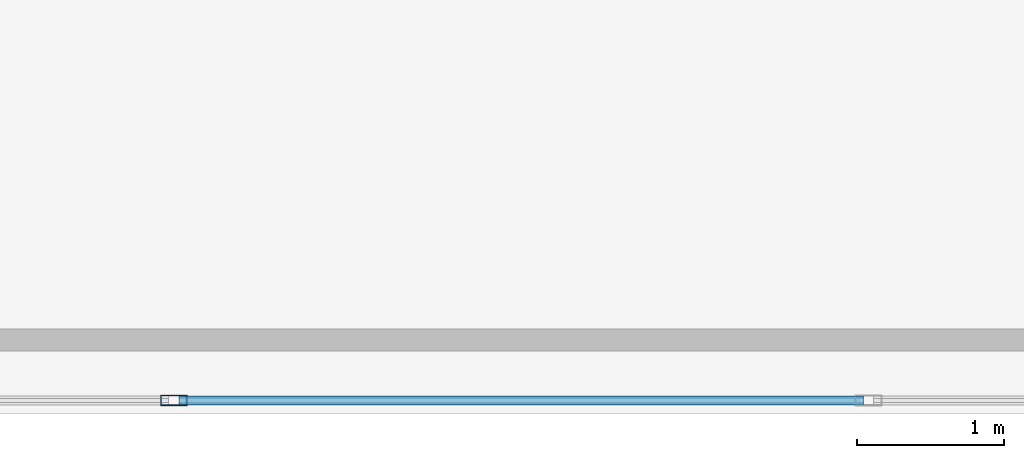
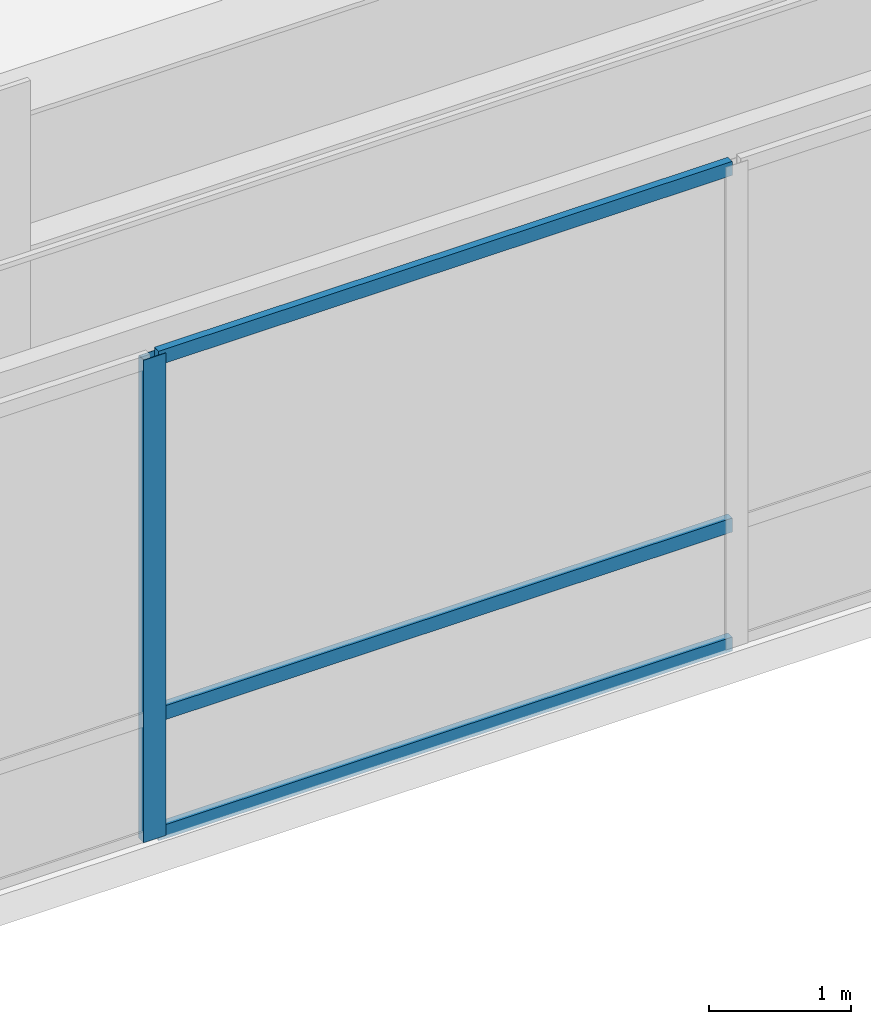
# One storey, part 9 of 27: 4 members, 1 element without a shape of its own.
"""IFC4 building model written with IfcOpenShell, lengths in metres."""

import ifcopenshell
import ifcopenshell.guid

model = None  # the IFC model being written
_history = None  # IfcOwnerHistory: only IFC2X3 demands one
_inside = {}  # id of a spatial element -> (the spatial element, [elements in it])
_under = {}  # id of a project, library or spatial element -> (it, [spatial elements below it])
_declared = {}  # id of a project -> (the project, [libraries it declares])
_typed = {}  # id of a type object -> (the type object, [elements of that type])
_made_of = {}  # id of a material, layer set ... -> (it, [elements and type objects made of it])


def new_model(schema):
    """Start an empty IFC model of exactly this schema.

    Asked for "IFC4X3", IfcOpenShell would pick the latest addendum, in which some entities
    have other attributes; the version numbers below select the first issue.
    IFC2X3 requires an IfcOwnerHistory on every rooted entity: one is made here for all.
    """
    global model, _history
    if schema == "IFC4X3":
        model = ifcopenshell.file(schema_version=(4, 3, 0, 0))
    else:
        model = ifcopenshell.file(schema=schema)
    _inside.clear()
    _under.clear()
    _declared.clear()
    _typed.clear()
    _made_of.clear()
    _history = None
    if model.schema == "IFC2X3":
        org = make("IfcOrganization", Name="unknown")
        user = make(
            "IfcPersonAndOrganization",
            ThePerson=make("IfcPerson", FamilyName="unknown"),
            TheOrganization=org,
        )
        app = make(
            "IfcApplication",
            ApplicationDeveloper=org,
            Version="unknown",
            ApplicationFullName="unknown",
            ApplicationIdentifier="unknown",
        )
        _history = make(
            "IfcOwnerHistory",
            OwningUser=user,
            OwningApplication=app,
            ChangeAction="ADDED",
            CreationDate=0,
        )
    return model


def make(cls, **values):
    """One entity of the class cls with the attributes given. An attribute that is None is left unset."""
    return model.create_entity(
        cls, **{name: value for name, value in values.items() if value is not None}
    )


def rooted(cls, **values):
    """An entity with a GlobalId (a new one), such as an element, a storey or a relation."""
    return make(cls, GlobalId=ifcopenshell.guid.new(), OwnerHistory=_history, **values)


def si_unit(unit_type, name, prefix=None):
    """IfcSIUnit, for example si_unit("LENGTHUNIT", "METRE", prefix="MILLI")."""
    return make("IfcSIUnit", UnitType=unit_type, Prefix=prefix, Name=name)


def assignment(units):
    """IfcUnitAssignment: the units of a project."""
    return None if units is None else make("IfcUnitAssignment", Units=units)


def point(xyz):
    """IfcCartesianPoint."""
    return None if xyz is None else make("IfcCartesianPoint", Coordinates=xyz)


def direction(xyz):
    """IfcDirection."""
    return None if xyz is None else make("IfcDirection", DirectionRatios=xyz)


def frame(location, z_axis=None, x_axis=None):
    """IfcAxis2Placement3D, a coordinate frame: its origin and axes. An axis left out is left unset."""
    return make(
        "IfcAxis2Placement3D",
        Location=point(location),
        Axis=direction(z_axis),
        RefDirection=direction(x_axis),
    )


def frame_2d(location, x_axis=None):
    """IfcAxis2Placement2D, a coordinate frame in the plane: its origin and x axis."""
    return make(
        "IfcAxis2Placement2D", Location=point(location), RefDirection=direction(x_axis)
    )


def origin():
    """The frame at (0, 0, 0) with its axes left unset."""
    return frame((0.0, 0.0, 0.0))


def origin_2d():
    """The frame at (0, 0) in the plane with its x axis left unset."""
    return frame_2d((0.0, 0.0))


def place(relative_to, where):
    """IfcLocalPlacement: puts the frame where relative to a parent placement (None: the world)."""
    return make(
        "IfcLocalPlacement", PlacementRelTo=relative_to, RelativePlacement=where
    )


def context(
    kind, dimensions, precision=None, world=None, true_north=None, identifier=None
):
    """IfcGeometricRepresentationContext, for example the 3D "Model" context."""
    return make(
        "IfcGeometricRepresentationContext",
        ContextIdentifier=identifier,
        ContextType=kind,
        CoordinateSpaceDimension=dimensions,
        Precision=precision,
        WorldCoordinateSystem=world,
        TrueNorth=true_north,
    )


def subcontext(parent, identifier, kind, view, scale=None):
    """IfcGeometricRepresentationSubContext, for example "Body" below "Model"."""
    return make(
        "IfcGeometricRepresentationSubContext",
        ContextIdentifier=identifier,
        ContextType=kind,
        ParentContext=parent,
        TargetScale=scale,
        TargetView=view,
    )


def project(units=None, contexts=None):
    """IfcProject with its units and contexts."""
    return rooted(
        "IfcProject",
        Name="project",
        RepresentationContexts=contexts,
        UnitsInContext=assignment(units),
    )


def spatial(cls, under=None, at=None, **own):
    """A site, building, storey or space (cls), placed at a placement, below another one or the project."""
    s = rooted(cls, ObjectPlacement=at, **own)
    if under is not None:
        _under.setdefault(under.id(), (under, []))[1].append(s)
    return s


def profile(cls, at=None, kind="AREA", **sizes):
    """A parametric profile (cls). Its sizes go by their IFC names, for example OverallWidth=200.0."""
    return make(cls, ProfileType=kind, Position=at, **sizes)


def hollow_rectangle(**sizes):
    """IfcRectangleHollowProfileDef."""
    return profile("IfcRectangleHollowProfileDef", **sizes)


def extrude(swept, where, along, depth):
    """IfcExtrudedAreaSolid: the profile swept, set in the frame where, extruded along a direction by depth."""
    return make(
        "IfcExtrudedAreaSolid",
        SweptArea=swept,
        Position=where,
        ExtrudedDirection=direction(along),
        Depth=depth,
    )


def shape(context_of_items, identifier, shape_type, items):
    """IfcShapeRepresentation: the items that make up one representation, for example the "Body"."""
    return make(
        "IfcShapeRepresentation",
        ContextOfItems=context_of_items,
        RepresentationIdentifier=identifier,
        RepresentationType=shape_type,
        Items=items,
    )


def source(mapping_origin, context_of_items, identifier, shape_type, items):
    """IfcRepresentationMap: a shape defined once, which mapped items show again and again."""
    return make(
        "IfcRepresentationMap",
        MappingOrigin=mapping_origin,
        MappedRepresentation=shape(context_of_items, identifier, shape_type, items),
    )


def transform(
    local_origin,
    x_axis=None,
    y_axis=None,
    z_axis=None,
    scale=None,
    scale2=None,
    scale3=None,
    uniform=True,
):
    """IfcCartesianTransformationOperator3D, or its non-uniform kind. x_axis, y_axis, z_axis: its Axis1, 2, 3."""
    if uniform:
        return make(
            "IfcCartesianTransformationOperator3D",
            Axis1=direction(x_axis),
            Axis2=direction(y_axis),
            LocalOrigin=point(local_origin),
            Scale=scale,
            Axis3=direction(z_axis),
        )
    return make(
        "IfcCartesianTransformationOperator3DnonUniform",
        Axis1=direction(x_axis),
        Axis2=direction(y_axis),
        LocalOrigin=point(local_origin),
        Scale=scale,
        Axis3=direction(z_axis),
        Scale2=scale2,
        Scale3=scale3,
    )


def mapped(mapping_source, mapping_target):
    """IfcMappedItem: shows the shape of a source again, moved by a transform."""
    return make(
        "IfcMappedItem", MappingSource=mapping_source, MappingTarget=mapping_target
    )


def material(Name=None, Category=None):
    """IfcMaterial."""
    return make("IfcMaterial", Name=Name, Category=Category)


def layer(
    of_material, thickness, ventilated=None, Name=None, Category=None, Priority=None
):
    """IfcMaterialLayer: one layer of a wall or slab, of a material (None: an air gap)."""
    return make(
        "IfcMaterialLayer",
        Material=of_material,
        LayerThickness=thickness,
        IsVentilated=ventilated,
        Name=Name,
        Category=Category,
        Priority=Priority,
    )


def layer_set(layers, Name=None):
    """IfcMaterialLayerSet."""
    return make("IfcMaterialLayerSet", MaterialLayers=layers, LayerSetName=Name)


def material_profile(
    of_material, cross_section, Name=None, Category=None, Priority=None
):
    """IfcMaterialProfile: a cross section and its material."""
    return make(
        "IfcMaterialProfile",
        Name=Name,
        Material=of_material,
        Profile=cross_section,
        Priority=Priority,
        Category=Category,
    )


def profile_set(profiles, Name=None, composite=None):
    """IfcMaterialProfileSet."""
    return make(
        "IfcMaterialProfileSet",
        Name=Name,
        MaterialProfiles=profiles,
        CompositeProfile=composite,
    )


def made_of(thing, what):
    """Note that an element or type object is made of a material, layer set ...; save() writes the relation."""
    if what is not None:
        _made_of.setdefault(what.id(), (what, []))[1].append(thing)
    return thing


def type_object(cls, material=None, **own):
    """A type object (cls), such as IfcWallType, which elements share."""
    return made_of(rooted(cls, **own), material)


def type_shapes(of_type, sources):
    """Give a type object the sources (RepresentationMaps) that its elements show as mapped items."""
    of_type.RepresentationMaps = sources


def element(
    cls,
    number,
    at=None,
    inside=None,
    cuts=None,
    type_object=None,
    material=None,
    context=None,
    identifier="Body",
    shape_type=None,
    held_by="IfcProductDefinitionShape",
    body=None,
    shapes=None,
    **own,
):
    """One element of the class cls, such as IfcWall. Its Tag is "e" and its number.

    at: its placement. inside: the storey or other place that contains it. cuts: it is an
    opening in that element (IfcRelVoidsElement). A single representation is given by context,
    identifier, shape_type and body (its items); several are given by shapes. held_by: the class
    of the entity that holds the representations. save() writes the other relations.
    """
    e = rooted(cls, Tag="e%d" % number, ObjectPlacement=at, **own)
    if body is not None:
        shapes = [shape(context, identifier, shape_type, body)]
    if shapes is not None:
        e.Representation = make(held_by, Representations=shapes)
    if inside is not None:
        _inside.setdefault(inside.id(), (inside, []))[1].append(e)
    if cuts is not None:
        rooted(
            "IfcRelVoidsElement", RelatingBuildingElement=cuts, RelatedOpeningElement=e
        )
    if type_object is not None:
        _typed.setdefault(type_object.id(), (type_object, []))[1].append(e)
    return made_of(e, material)


def aggregate(whole, parts):
    """IfcRelAggregates: a whole, such as a stair, and the parts it consists of."""
    return rooted("IfcRelAggregates", RelatingObject=whole, RelatedObjects=parts)


def save(model, path):
    """Write the relations noted so far, then the file.

    IfcRelAggregates (storeys below a building ...), IfcRelContainedInSpatialStructure (elements
    in a storey), IfcRelDefinesByType, IfcRelAssociatesMaterial and IfcRelDeclares: one each for
    every whole, place, type object, material and project.
    """
    for whole, parts in _under.values():
        aggregate(whole, parts)
    for where, things in _inside.values():
        rooted(
            "IfcRelContainedInSpatialStructure",
            RelatedElements=things,
            RelatingStructure=where,
        )
    for kind, things in _typed.values():
        rooted("IfcRelDefinesByType", RelatedObjects=things, RelatingType=kind)
    for what, things in _made_of.values():
        rooted("IfcRelAssociatesMaterial", RelatedObjects=things, RelatingMaterial=what)
    for by, libraries in _declared.values():
        rooted("IfcRelDeclares", RelatingContext=by, RelatedDefinitions=libraries)
    model.write(path)


model = new_model("IFC4")

# Units and contexts
model_context = context("Model", 3, precision=1e-05, world=origin(), true_north=direction((0.0, 1.0)))
body_context = subcontext(model_context, "Body", "Model", "MODEL_VIEW")
ifc_project = project(units=[si_unit("LENGTHUNIT", "METRE"), si_unit("AREAUNIT", "SQUARE_METRE"), si_unit("VOLUMEUNIT", "CUBIC_METRE"), si_unit("PLANEANGLEUNIT", "RADIAN"), si_unit("MASSUNIT", "GRAM", prefix="KILO")], contexts=[model_context])

# Site, building, storey
site_placement = place(None, origin())
site = spatial("IfcSite", under=ifc_project, at=site_placement, CompositionType="ELEMENT")
building_placement = place(site_placement, origin())
building = spatial("IfcBuilding", under=site, at=building_placement, Name="Tolvann Quenvar Hotel", CompositionType="ELEMENT")
storey_placement = place(building_placement, frame((0.0, 0.0, 22.39990234375)))
storey = spatial("IfcBuildingStorey", under=building, at=storey_placement, Name="L04", CompositionType="ELEMENT", Elevation=22.39990234375)

# Curtain wall, members
ifc_material_1 = material(Name="Thermally broken anodised architectural aluminium 6063-T6 and laminated low-E glass", Category="aluminium")
ifc_layer = layer(ifc_material_1, 0.179931640625)
ifc_layer_set = layer_set([ifc_layer], Name="Thermally broken anodised architectural aluminium 6063-T6 and laminated low-E glass")
curtain_wall_type = type_object("IfcCurtainWallType", Name="CW_SYS_BALL_02", PredefinedType="USERDEFINED", material=ifc_layer_set)
curtain_wall_placement = place(storey_placement, origin())
curtain_wall = element("IfcCurtainWall", 1, at=curtain_wall_placement, inside=storey, type_object=curtain_wall_type, Name="Curtain Wall CW-BALL-02 (CWR-L04-E04-S3)", ObjectType="UNITISED CURTAIN WALL", PredefinedType="USERDEFINED")
ifc_material_2 = material(Name="Anodised architectural aluminium 6063-T6 framing", Category="aluminium")
ifc_material_profile_1 = material_profile(ifc_material_2, hollow_rectangle(XDim=0.070068359375, YDim=0.179931640625, WallThickness=0.00390625, at=origin_2d()), Name="180x70x4RHS")
ifc_profile_set_1 = profile_set([ifc_material_profile_1], Name="Anodised architectural aluminium 6063-T6 framing")
member_type_1 = type_object("IfcMemberType", Name="CW_MULL_180x70", PredefinedType="MULLION", material=ifc_profile_set_1)
shared_shape_1 = source(origin(), body_context, "Body", "SweptSolid", [
    extrude(hollow_rectangle(XDim=0.070068359375, YDim=0.179931640625, WallThickness=0.00390625, at=origin_2d()), origin(), (0.0, 0.0, 1.0), 4.14013671875),
])
type_shapes(member_type_1, [shared_shape_1])
member_1_placement = place(storey_placement, frame((28.0, -2.409912109375, 0.0), z_axis=(0.0, 0.0, 1.0), x_axis=(0.0, 1.0, 0.0)))
member_1 = element("IfcMember", 2, at=member_1_placement, type_object=member_type_1, Name="CW-BALL-02 mullion 5", PredefinedType="MULLION", context=body_context, shape_type="MappedRepresentation", body=[
    mapped(shared_shape_1, transform((0.0, 0.0, 0.0), x_axis=(1.0, 0.0, 0.0), y_axis=(0.0, 1.0, 0.0), z_axis=(0.0, 0.0, 1.0), scale=1.0)),
])
ifc_material_profile_2 = material_profile(ifc_material_2, hollow_rectangle(XDim=0.06005859375, YDim=0.1201171875, WallThickness=0.00341796875, at=origin_2d()), Name="120x60x3.5RHS")
ifc_profile_set_2 = profile_set([ifc_material_profile_2], Name="Anodised architectural aluminium 6063-T6 framing")
member_type_2 = type_object("IfcMemberType", Name="CW_TRAN_120x60", PredefinedType="USERDEFINED", material=ifc_profile_set_2)
shared_shape_2 = source(origin(), body_context, "Body", "SweptSolid", [
    extrude(hollow_rectangle(XDim=0.06005859375, YDim=0.1201171875, WallThickness=0.00341796875, at=origin_2d()), origin(), (0.0, 0.0, 1.0), 4.654052734375),
])
type_shapes(member_type_2, [shared_shape_2])
member_2_placement = place(storey_placement, frame((28.034912109375, -2.409912109375, 0.030029296875), z_axis=(1.0, 0.0, 0.0), x_axis=(0.0, 1.0, 0.0)))
member_2 = element("IfcMember", 3, at=member_2_placement, type_object=member_type_2, Name="CW-BALL-02 transom 5.1", ObjectType="TRANSOM", PredefinedType="USERDEFINED", context=body_context, shape_type="MappedRepresentation", body=[
    mapped(shared_shape_2, transform((0.0, 0.0, 0.0), x_axis=(1.0, 0.0, 0.0), y_axis=(0.0, 1.0, 0.0), z_axis=(0.0, 0.0, 1.0), scale=1.0)),
])
member_3_placement = place(storey_placement, frame((28.034912109375, -2.409912109375, 1.050048828125), z_axis=(1.0, 0.0, 0.0), x_axis=(0.0, 1.0, 0.0)))
member_3 = element("IfcMember", 4, at=member_3_placement, type_object=member_type_2, Name="CW-BALL-02 transom 5.2", ObjectType="TRANSOM", PredefinedType="USERDEFINED", context=body_context, shape_type="MappedRepresentation", body=[
    mapped(shared_shape_2, transform((0.0, 0.0, 0.0), x_axis=(1.0, 0.0, 0.0), y_axis=(0.0, 1.0, 0.0), z_axis=(0.0, 0.0, 1.0), scale=1.0)),
])
member_4_placement = place(storey_placement, frame((28.034912109375, -2.409912109375, 4.110107421875), z_axis=(1.0, 0.0, 0.0), x_axis=(0.0, 1.0, 0.0)))
member_4 = element("IfcMember", 5, at=member_4_placement, type_object=member_type_2, Name="CW-BALL-02 transom 5.3", ObjectType="TRANSOM", PredefinedType="USERDEFINED", context=body_context, shape_type="MappedRepresentation", body=[
    mapped(shared_shape_2, transform((0.0, 0.0, 0.0), x_axis=(1.0, 0.0, 0.0), y_axis=(0.0, 1.0, 0.0), z_axis=(0.0, 0.0, 1.0), scale=1.0)),
])
aggregate(curtain_wall, [member_1, member_2, member_3, member_4])

save(model, "model.ifc")
